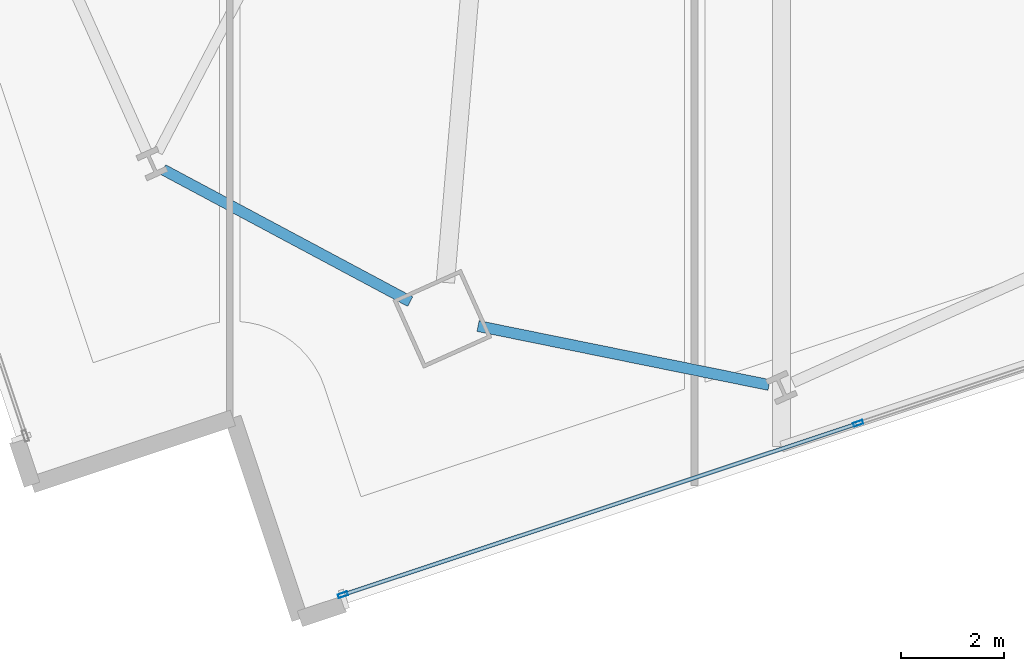
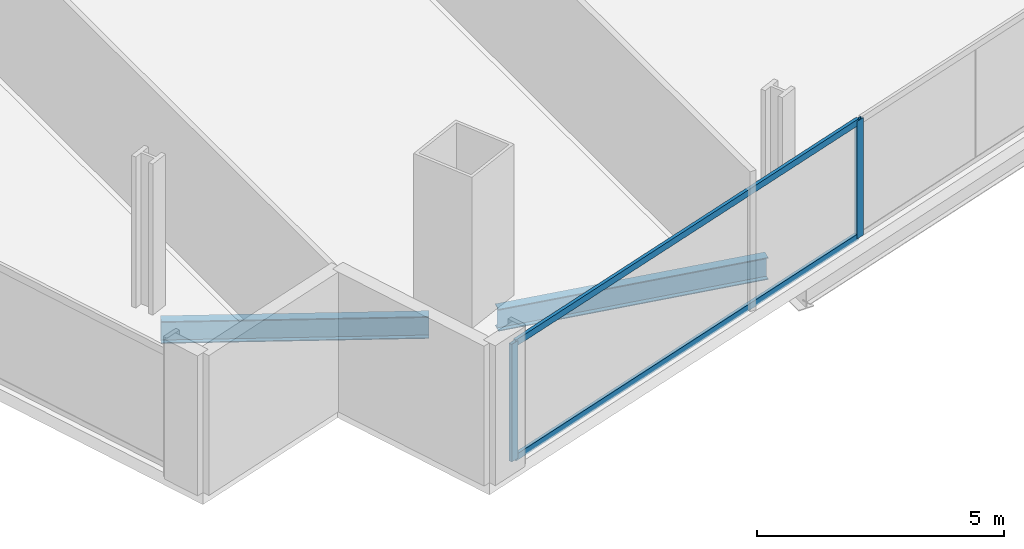
# One storey, part 3 of 34: 4 members, 2 beams, 1 element without a shape of its own.
"""IFC4 building model written with IfcOpenShell, lengths in metres."""

import ifcopenshell
import ifcopenshell.guid

model = None  # the IFC model being written
_history = None  # IfcOwnerHistory: only IFC2X3 demands one
_inside = {}  # id of a spatial element -> (the spatial element, [elements in it])
_under = {}  # id of a project, library or spatial element -> (it, [spatial elements below it])
_declared = {}  # id of a project -> (the project, [libraries it declares])
_typed = {}  # id of a type object -> (the type object, [elements of that type])
_made_of = {}  # id of a material, layer set ... -> (it, [elements and type objects made of it])


def new_model(schema):
    """Start an empty IFC model of exactly this schema.

    Asked for "IFC4X3", IfcOpenShell would pick the latest addendum, in which some entities
    have other attributes; the version numbers below select the first issue.
    IFC2X3 requires an IfcOwnerHistory on every rooted entity: one is made here for all.
    """
    global model, _history
    if schema == "IFC4X3":
        model = ifcopenshell.file(schema_version=(4, 3, 0, 0))
    else:
        model = ifcopenshell.file(schema=schema)
    _inside.clear()
    _under.clear()
    _declared.clear()
    _typed.clear()
    _made_of.clear()
    _history = None
    if model.schema == "IFC2X3":
        org = make("IfcOrganization", Name="unknown")
        user = make(
            "IfcPersonAndOrganization",
            ThePerson=make("IfcPerson", FamilyName="unknown"),
            TheOrganization=org,
        )
        app = make(
            "IfcApplication",
            ApplicationDeveloper=org,
            Version="unknown",
            ApplicationFullName="unknown",
            ApplicationIdentifier="unknown",
        )
        _history = make(
            "IfcOwnerHistory",
            OwningUser=user,
            OwningApplication=app,
            ChangeAction="ADDED",
            CreationDate=0,
        )
    return model


def make(cls, **values):
    """One entity of the class cls with the attributes given. An attribute that is None is left unset."""
    return model.create_entity(
        cls, **{name: value for name, value in values.items() if value is not None}
    )


def rooted(cls, **values):
    """An entity with a GlobalId (a new one), such as an element, a storey or a relation."""
    return make(cls, GlobalId=ifcopenshell.guid.new(), OwnerHistory=_history, **values)


def si_unit(unit_type, name, prefix=None):
    """IfcSIUnit, for example si_unit("LENGTHUNIT", "METRE", prefix="MILLI")."""
    return make("IfcSIUnit", UnitType=unit_type, Prefix=prefix, Name=name)


def assignment(units):
    """IfcUnitAssignment: the units of a project."""
    return None if units is None else make("IfcUnitAssignment", Units=units)


def point(xyz):
    """IfcCartesianPoint."""
    return None if xyz is None else make("IfcCartesianPoint", Coordinates=xyz)


def direction(xyz):
    """IfcDirection."""
    return None if xyz is None else make("IfcDirection", DirectionRatios=xyz)


def frame(location, z_axis=None, x_axis=None):
    """IfcAxis2Placement3D, a coordinate frame: its origin and axes. An axis left out is left unset."""
    return make(
        "IfcAxis2Placement3D",
        Location=point(location),
        Axis=direction(z_axis),
        RefDirection=direction(x_axis),
    )


def frame_2d(location, x_axis=None):
    """IfcAxis2Placement2D, a coordinate frame in the plane: its origin and x axis."""
    return make(
        "IfcAxis2Placement2D", Location=point(location), RefDirection=direction(x_axis)
    )


def origin():
    """The frame at (0, 0, 0) with its axes left unset."""
    return frame((0.0, 0.0, 0.0))


def origin_2d():
    """The frame at (0, 0) in the plane with its x axis left unset."""
    return frame_2d((0.0, 0.0))


def place(relative_to, where):
    """IfcLocalPlacement: puts the frame where relative to a parent placement (None: the world)."""
    return make(
        "IfcLocalPlacement", PlacementRelTo=relative_to, RelativePlacement=where
    )


def context(
    kind, dimensions, precision=None, world=None, true_north=None, identifier=None
):
    """IfcGeometricRepresentationContext, for example the 3D "Model" context."""
    return make(
        "IfcGeometricRepresentationContext",
        ContextIdentifier=identifier,
        ContextType=kind,
        CoordinateSpaceDimension=dimensions,
        Precision=precision,
        WorldCoordinateSystem=world,
        TrueNorth=true_north,
    )


def subcontext(parent, identifier, kind, view, scale=None):
    """IfcGeometricRepresentationSubContext, for example "Body" below "Model"."""
    return make(
        "IfcGeometricRepresentationSubContext",
        ContextIdentifier=identifier,
        ContextType=kind,
        ParentContext=parent,
        TargetScale=scale,
        TargetView=view,
    )


def project(units=None, contexts=None):
    """IfcProject with its units and contexts."""
    return rooted(
        "IfcProject",
        Name="project",
        RepresentationContexts=contexts,
        UnitsInContext=assignment(units),
    )


def spatial(cls, under=None, at=None, **own):
    """A site, building, storey or space (cls), placed at a placement, below another one or the project."""
    s = rooted(cls, ObjectPlacement=at, **own)
    if under is not None:
        _under.setdefault(under.id(), (under, []))[1].append(s)
    return s


def profile(cls, at=None, kind="AREA", **sizes):
    """A parametric profile (cls). Its sizes go by their IFC names, for example OverallWidth=200.0."""
    return make(cls, ProfileType=kind, Position=at, **sizes)


def hollow_rectangle(**sizes):
    """IfcRectangleHollowProfileDef."""
    return profile("IfcRectangleHollowProfileDef", **sizes)


def i_section(**sizes):
    """IfcIShapeProfileDef."""
    return profile("IfcIShapeProfileDef", **sizes)


def extrude(swept, where, along, depth):
    """IfcExtrudedAreaSolid: the profile swept, set in the frame where, extruded along a direction by depth."""
    return make(
        "IfcExtrudedAreaSolid",
        SweptArea=swept,
        Position=where,
        ExtrudedDirection=direction(along),
        Depth=depth,
    )


def shape(context_of_items, identifier, shape_type, items):
    """IfcShapeRepresentation: the items that make up one representation, for example the "Body"."""
    return make(
        "IfcShapeRepresentation",
        ContextOfItems=context_of_items,
        RepresentationIdentifier=identifier,
        RepresentationType=shape_type,
        Items=items,
    )


def material(Name=None, Category=None):
    """IfcMaterial."""
    return make("IfcMaterial", Name=Name, Category=Category)


def material_profile(
    of_material, cross_section, Name=None, Category=None, Priority=None
):
    """IfcMaterialProfile: a cross section and its material."""
    return make(
        "IfcMaterialProfile",
        Name=Name,
        Material=of_material,
        Profile=cross_section,
        Priority=Priority,
        Category=Category,
    )


def profile_set(profiles, Name=None, composite=None):
    """IfcMaterialProfileSet."""
    return make(
        "IfcMaterialProfileSet",
        Name=Name,
        MaterialProfiles=profiles,
        CompositeProfile=composite,
    )


def made_of(thing, what):
    """Note that an element or type object is made of a material, layer set ...; save() writes the relation."""
    if what is not None:
        _made_of.setdefault(what.id(), (what, []))[1].append(thing)
    return thing


def type_object(cls, material=None, **own):
    """A type object (cls), such as IfcWallType, which elements share."""
    return made_of(rooted(cls, **own), material)


def element(
    cls,
    number,
    at=None,
    inside=None,
    cuts=None,
    type_object=None,
    material=None,
    context=None,
    identifier="Body",
    shape_type=None,
    held_by="IfcProductDefinitionShape",
    body=None,
    shapes=None,
    **own,
):
    """One element of the class cls, such as IfcWall. Its Tag is "e" and its number.

    at: its placement. inside: the storey or other place that contains it. cuts: it is an
    opening in that element (IfcRelVoidsElement). A single representation is given by context,
    identifier, shape_type and body (its items); several are given by shapes. held_by: the class
    of the entity that holds the representations. save() writes the other relations.
    """
    e = rooted(cls, Tag="e%d" % number, ObjectPlacement=at, **own)
    if body is not None:
        shapes = [shape(context, identifier, shape_type, body)]
    if shapes is not None:
        e.Representation = make(held_by, Representations=shapes)
    if inside is not None:
        _inside.setdefault(inside.id(), (inside, []))[1].append(e)
    if cuts is not None:
        rooted(
            "IfcRelVoidsElement", RelatingBuildingElement=cuts, RelatedOpeningElement=e
        )
    if type_object is not None:
        _typed.setdefault(type_object.id(), (type_object, []))[1].append(e)
    return made_of(e, material)


def aggregate(whole, parts):
    """IfcRelAggregates: a whole, such as a stair, and the parts it consists of."""
    return rooted("IfcRelAggregates", RelatingObject=whole, RelatedObjects=parts)


def save(model, path):
    """Write the relations noted so far, then the file.

    IfcRelAggregates (storeys below a building ...), IfcRelContainedInSpatialStructure (elements
    in a storey), IfcRelDefinesByType, IfcRelAssociatesMaterial and IfcRelDeclares: one each for
    every whole, place, type object, material and project.
    """
    for whole, parts in _under.values():
        aggregate(whole, parts)
    for where, things in _inside.values():
        rooted(
            "IfcRelContainedInSpatialStructure",
            RelatedElements=things,
            RelatingStructure=where,
        )
    for kind, things in _typed.values():
        rooted("IfcRelDefinesByType", RelatedObjects=things, RelatingType=kind)
    for what, things in _made_of.values():
        rooted("IfcRelAssociatesMaterial", RelatedObjects=things, RelatingMaterial=what)
    for by, libraries in _declared.values():
        rooted("IfcRelDeclares", RelatingContext=by, RelatedDefinitions=libraries)
    model.write(path)


model = new_model("IFC4")

# Units and contexts
model_context = context("Model", 3, precision=1e-05, world=origin(), true_north=direction((0.0, 1.0)))
body_context = subcontext(model_context, "Body", "Model", "MODEL_VIEW")
ifc_project = project(units=[si_unit("LENGTHUNIT", "METRE"), si_unit("AREAUNIT", "SQUARE_METRE"), si_unit("VOLUMEUNIT", "CUBIC_METRE"), si_unit("PLANEANGLEUNIT", "RADIAN"), si_unit("MASSUNIT", "GRAM", prefix="KILO")], contexts=[model_context])

# Site, building, storey
site_placement = place(None, origin())
site = spatial("IfcSite", under=ifc_project, at=site_placement, CompositionType="ELEMENT")
building_placement = place(site_placement, origin())
building = spatial("IfcBuilding", under=site, at=building_placement, Name="Haldenkirk Collegiate Tower", CompositionType="ELEMENT")
storey_placement = place(building_placement, frame((0.0, 0.0, 90.449951171875)))
storey = spatial("IfcBuildingStorey", under=building, at=storey_placement, Name="L21", CompositionType="ELEMENT", Elevation=90.449951171875)

# Beams
ifc_material_1 = material(Name="Steel ASTM A992 Grade 50", Category="steel")
ifc_material_profile_1 = material_profile(ifc_material_1, i_section(OverallWidth=0.2119140625, OverallDepth=0.5439453125, WebThickness=0.01318359375, FlangeThickness=0.021240234375, at=origin_2d()), Name="W21X83")
ifc_profile_set_1 = profile_set([ifc_material_profile_1], Name="Steel ASTM A992 Grade 50")
beam_type = type_object("IfcBeamType", Name="BM-SPANDREL-W21X83", PredefinedType="SPANDREL", material=ifc_profile_set_1)
beam_1_placement = place(storey_placement, frame((26.3076171875, 1.477783203125, -0.572021484375), z_axis=(0.980077587146, -0.19861501246, 0.0), x_axis=(0.19861501246, 0.980077587146, 0.0)))
element("IfcBeam", 1, at=beam_1_placement, inside=storey, type_object=beam_type, Name="L21 perimeter spandrel beam 01", PredefinedType="SPANDREL", context=body_context, shape_type="SweptSolid", body=[
    extrude(i_section(OverallWidth=0.2119140625, OverallDepth=0.5439453125, WebThickness=0.01318359375, FlangeThickness=0.021240234375, at=origin_2d()), origin(), (0.0, 0.0, 1.0), 5.747802734375),
])
beam_2_placement = place(storey_placement, frame((20.21240234375, 4.505615234375, -0.572021484375), z_axis=(0.881987493029, -0.471272810737, 0.0), x_axis=(0.471272810737, 0.881987493029, 0.0)))
element("IfcBeam", 2, at=beam_2_placement, inside=storey, type_object=beam_type, Name="L21 perimeter spandrel beam 16", PredefinedType="SPANDREL", context=body_context, shape_type="SweptSolid", body=[
    extrude(i_section(OverallWidth=0.2119140625, OverallDepth=0.5439453125, WebThickness=0.01318359375, FlangeThickness=0.021240234375, at=origin_2d()), origin(), (0.0, 0.0, 1.0), 5.42236328125),
])

# Curtain wall, members
ifc_material_2 = material(Name="Anodised architectural bronze aluminium", Category="aluminium")
curtain_wall_type = type_object("IfcCurtainWallType", Name="CW-SYS2-CONCAVE", PredefinedType="USERDEFINED", material=ifc_material_2)
curtain_wall_placement = place(storey_placement, origin())
curtain_wall = element("IfcCurtainWall", 3, at=curtain_wall_placement, inside=storey, type_object=curtain_wall_type, Name="L21 South concave recessed bronze-anodised curtain wall", ObjectType="UNITISED CURTAIN WALL", PredefinedType="USERDEFINED")
ifc_material_profile_2 = material_profile(ifc_material_2, hollow_rectangle(XDim=0.074951171875, YDim=0.18994140625, WallThickness=0.0048828125, at=origin_2d()), Name="CW-MUL-02")
ifc_profile_set_2 = profile_set([ifc_material_profile_2], Name="Anodised architectural bronze aluminium")
member_type_1 = type_object("IfcMemberType", Name="CW-MUL-02", PredefinedType="MULLION", material=ifc_profile_set_2)
member_1_placement = place(storey_placement, frame((33.666015625, -0.40673828125, 0.0), z_axis=(0.0, 0.0, 1.0), x_axis=(0.315646901106, -0.948876722142, 0.0)))
member_1 = element("IfcMember", 4, at=member_1_placement, type_object=member_type_1, Name="CW-02 mullion 4", PredefinedType="MULLION", context=body_context, shape_type="SweptSolid", body=[
    extrude(hollow_rectangle(XDim=0.074951171875, YDim=0.18994140625, WallThickness=0.0048828125, at=origin_2d()), origin(), (0.0, 0.0, 1.0), 2.901123046875),
])
member_2_placement = place(storey_placement, frame((23.69091796875, -3.724853515625, 0.0), z_axis=(0.0, 0.0, 1.0), x_axis=(0.315646901106, -0.948876722142, 0.0)))
member_2 = element("IfcMember", 5, at=member_2_placement, type_object=member_type_1, Name="CW-02 mullion 5", PredefinedType="MULLION", context=body_context, shape_type="SweptSolid", body=[
    extrude(hollow_rectangle(XDim=0.074951171875, YDim=0.18994140625, WallThickness=0.0048828125, at=origin_2d()), origin(), (0.0, 0.0, 1.0), 2.901123046875),
])
ifc_material_profile_3 = material_profile(ifc_material_2, hollow_rectangle(XDim=0.074951171875, YDim=0.159912109375, WallThickness=0.0048828125, at=origin_2d()), Name="CW-TRN-02")
ifc_profile_set_3 = profile_set([ifc_material_profile_3], Name="Anodised architectural bronze aluminium")
member_type_2 = type_object("IfcMemberType", Name="CW-TRN-02", PredefinedType="USERDEFINED", material=ifc_profile_set_3)
member_3_placement = place(storey_placement, frame((33.63037109375, -0.41845703125, 0.03759765625), z_axis=(-0.948872593534, -0.315659311979, 0.0), x_axis=(0.315659311979, -0.948872593534, 0.0)))
member_3 = element("IfcMember", 6, at=member_3_placement, type_object=member_type_2, Name="CW-02 transom 4.1", ObjectType="TRANSOM", PredefinedType="USERDEFINED", context=body_context, shape_type="SweptSolid", body=[
    extrude(hollow_rectangle(XDim=0.074951171875, YDim=0.159912109375, WallThickness=0.0048828125, at=origin_2d()), origin(), (0.0, 0.0, 1.0), 10.4375),
])
member_4_placement = place(storey_placement, frame((33.63037109375, -0.41845703125, 2.863525390625), z_axis=(-0.948872593534, -0.315659311979, 0.0), x_axis=(0.315659311979, -0.948872593534, 0.0)))
member_4 = element("IfcMember", 7, at=member_4_placement, type_object=member_type_2, Name="CW-02 transom 4.2", ObjectType="TRANSOM", PredefinedType="USERDEFINED", context=body_context, shape_type="SweptSolid", body=[
    extrude(hollow_rectangle(XDim=0.074951171875, YDim=0.159912109375, WallThickness=0.0048828125, at=origin_2d()), origin(), (0.0, 0.0, 1.0), 10.4375),
])
aggregate(curtain_wall, [member_1, member_2, member_3, member_4])

save(model, "model.ifc")
